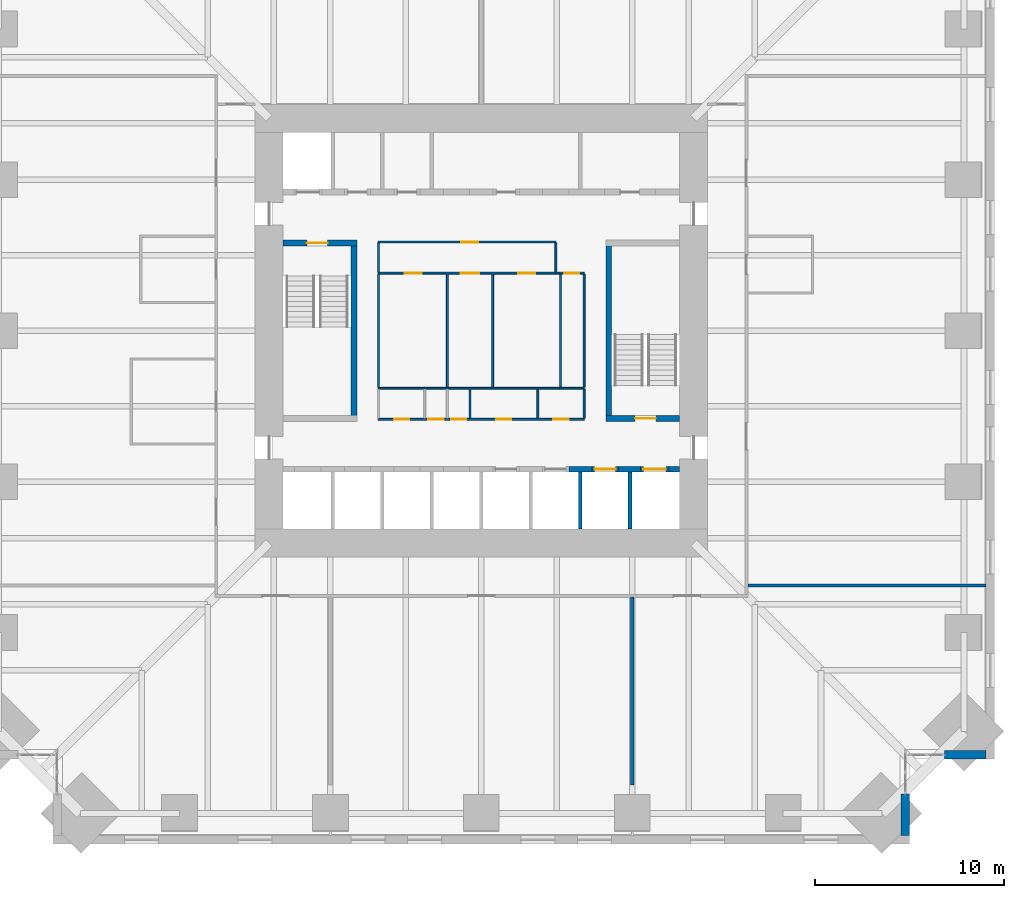
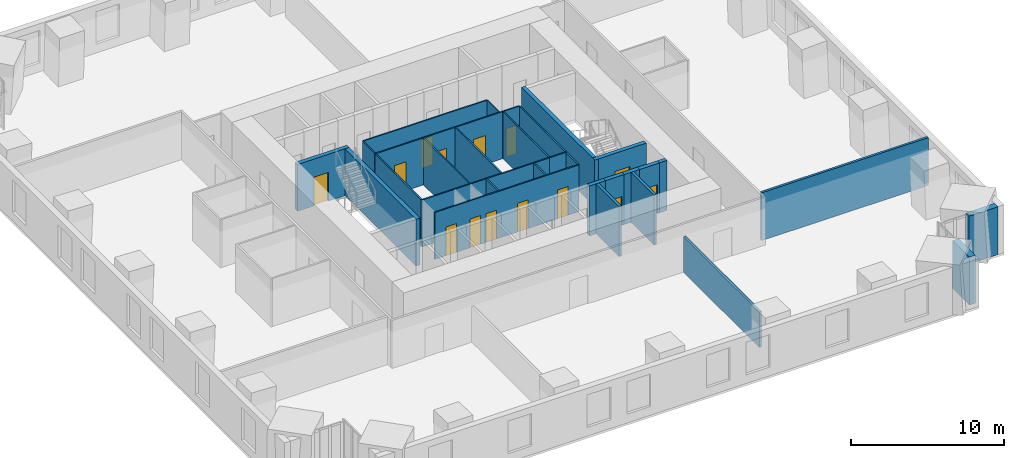
# One storey, part 13 of 16: 31 walls, 14 doors, 14 openings.
"""IFC4 building model written with IfcOpenShell, lengths in metres."""

from ifc_helpers import new_model, si_unit, direction, frame, frame_2d, origin, place, context, subcontext, project, spatial, rectangle, extrude, material, layer, layer_set, type_object, element, fill, save


model = new_model("IFC4")

# Units and contexts
model_context = context("Model", 3, precision=1e-05, world=origin(), true_north=direction((0.0, 1.0)))
body_context = subcontext(model_context, "Body", "Model", "MODEL_VIEW")
ifc_project = project(units=[si_unit("LENGTHUNIT", "METRE"), si_unit("AREAUNIT", "SQUARE_METRE"), si_unit("VOLUMEUNIT", "CUBIC_METRE"), si_unit("PLANEANGLEUNIT", "RADIAN"), si_unit("MASSUNIT", "GRAM", prefix="KILO")], contexts=[model_context])

# Site, building, storey
site_placement = place(None, origin())
site = spatial("IfcSite", under=ifc_project, at=site_placement, CompositionType="ELEMENT")
building_placement = place(site_placement, origin())
building = spatial("IfcBuilding", under=site, at=building_placement, Name="Peilmerk Tower", CompositionType="ELEMENT")
storey_placement = place(building_placement, frame((0.0, 0.0, 131.800048828125)))
storey = spatial("IfcBuildingStorey", under=building, at=storey_placement, Name="L26", CompositionType="ELEMENT", Elevation=131.800048828125)

# Walls
ifc_material_1 = material(Name="Precast concrete C45/55, board-marked finish", Category="concrete")
ifc_layer_1 = layer(ifc_material_1, 0.449951171875)
ifc_layer_set_1 = layer_set([ifc_layer_1], Name="Precast concrete C45/55, board-marked finish")
wall_type_1 = type_object("IfcWallType", Name="EW1 450 precast concrete facade wall, board-marked", PredefinedType="SOLIDWALL", material=ifc_layer_set_1)
for number, where, z_axis, x_axis, name in (
    (1, (22.47509765625, -24.5537109375, 0.0), (0.0, 0.0, 1.0), (0.0, -1.0, 0.0), "Facade wall SEA L26"),
    (2, (24.5537109375, -22.47509765625, 0.0), (0.0, 0.0, 1.0), (1.0, 0.0, 0.0), "Facade wall SEB L26"),
):
    element("IfcWall", number, at=place(storey_placement, frame(where, z_axis=z_axis, x_axis=x_axis)), inside=storey, type_object=wall_type_1, Name=name, PredefinedType="SOLIDWALL", context=body_context, shape_type="SweptSolid", body=[
        extrude(rectangle(XDim=2.1962890625, YDim=0.449951171875, at=frame_2d((1.09814453125, 0.0))), origin(), (0.0, 0.0, 1.0), 3.829833984375),
    ])
ifc_material_2 = material(Name="Concrete C35/45", Category="concrete")
ifc_layer_2 = layer(ifc_material_2, 0.300048828125)
ifc_layer_set_2 = layer_set([ifc_layer_2], Name="Concrete C35/45")
wall_type_2 = type_object("IfcWallType", Name="IW3 300 concrete stair enclosure wall, EI 120", PredefinedType="SOLIDWALL", material=ifc_layer_set_2)
wall_1_placement = place(storey_placement, frame((-6.75, -4.800048828125, 0.0), z_axis=(0.0, 0.0, 1.0), x_axis=(0.0, 1.0, 0.0)))
element("IfcWall", 3, at=wall_1_placement, inside=storey, type_object=wall_type_2, Name="Stair 1 enclosure L26", PredefinedType="SOLIDWALL", context=body_context, shape_type="SweptSolid", body=[
    extrude(rectangle(XDim=9.60009765625, YDim=0.300048828125, at=frame_2d((4.800048828125, 0.0))), origin(), (0.0, 0.0, 1.0), 3.75),
])

# Wall, opening, door
wall_2_placement = place(storey_placement, frame((-10.5, 4.64990234375, 0.0), z_axis=(0.0, 0.0, 1.0), x_axis=(1.0, 0.0, 0.0)))
wall_2 = element("IfcWall", 4, at=wall_2_placement, inside=storey, type_object=wall_type_2, Name="Stair 1 enclosure L26", PredefinedType="SOLIDWALL", context=body_context, shape_type="SweptSolid", body=[
    extrude(rectangle(XDim=3.89990234375, YDim=0.300048828125, at=frame_2d((1.949951171875, 0.0))), origin(), (0.0, 0.0, 1.0), 3.75),
])
opening_1_placement = place(wall_2_placement, frame((1.25, 0.0, 0.0)))
opening_1 = element("IfcOpeningElement", 5, at=opening_1_placement, cuts=wall_2, Name="Opening D4", PredefinedType="OPENING", context=body_context, shape_type="SweptSolid", body=[
    extrude(rectangle(XDim=1.10009765625, YDim=2.300048828125, at=frame_2d((0.550048828125, 1.14990234375))), frame((0.0, 0.159912109375, 0.0), z_axis=(0.0, -1.0, 0.0), x_axis=(1.0, 0.0, 0.0)), (0.0, 0.0, 1.0), 0.320068359375),
])
ifc_material_3 = material(Name="Steel door in steel frame", Category="steel")
door_type_1 = type_object("IfcDoorType", Name="D4 1100x2300 stair door, EI2 60", OperationType="SINGLE_SWING_RIGHT", PredefinedType="DOOR", material=ifc_material_3)
door_1_placement = place(opening_1_placement, frame((1.10009765625, 0.0, 0.0), z_axis=(0.0, 0.0, 1.0), x_axis=(-1.0, 0.0, 0.0)))
door_1 = element("IfcDoor", 6, at=door_1_placement, inside=storey, type_object=door_type_1, Name="Stair 1 door L26", OperationType="SINGLE_SWING_RIGHT", OverallHeight=2.300048828125, OverallWidth=1.10009765625, PredefinedType="DOOR", context=body_context, shape_type="SweptSolid", body=[
    extrude(rectangle(XDim=1.10009765625, YDim=2.300048828125, at=frame_2d((0.550048828125, 1.14990234375))), frame((0.0, 0.02490234375, 0.0), z_axis=(0.0, -1.0, 0.0), x_axis=(1.0, 0.0, 0.0)), (0.0, 0.0, 1.0), 0.050048828125),
])
fill(opening_1, door_1)

# Wall
wall_3_placement = place(storey_placement, frame((6.75, -4.800048828125, 0.0), z_axis=(0.0, 0.0, 1.0), x_axis=(0.0, 1.0, 0.0)))
element("IfcWall", 7, at=wall_3_placement, inside=storey, type_object=wall_type_2, Name="Stair 2 enclosure L26", PredefinedType="SOLIDWALL", context=body_context, shape_type="SweptSolid", body=[
    extrude(rectangle(XDim=9.60009765625, YDim=0.300048828125, at=frame_2d((4.800048828125, 0.0))), origin(), (0.0, 0.0, 1.0), 3.75),
])

# Wall, opening, door
wall_4_placement = place(storey_placement, frame((10.5, -4.64990234375, 0.0), z_axis=(0.0, 0.0, 1.0), x_axis=(-1.0, 0.0, 0.0)))
wall_4 = element("IfcWall", 8, at=wall_4_placement, inside=storey, type_object=wall_type_2, Name="Stair 2 enclosure L26", PredefinedType="SOLIDWALL", context=body_context, shape_type="SweptSolid", body=[
    extrude(rectangle(XDim=3.89990234375, YDim=0.300048828125, at=frame_2d((1.949951171875, 0.0))), origin(), (0.0, 0.0, 1.0), 3.75),
])
opening_2_placement = place(wall_4_placement, frame((1.25, 0.0, 0.0)))
opening_2 = element("IfcOpeningElement", 9, at=opening_2_placement, cuts=wall_4, Name="Opening D4", PredefinedType="OPENING", context=body_context, shape_type="SweptSolid", body=[
    extrude(rectangle(XDim=1.10009765625, YDim=2.300048828125, at=frame_2d((0.550048828125, 1.14990234375))), frame((0.0, 0.159912109375, 0.0), z_axis=(0.0, -1.0, 0.0), x_axis=(1.0, 0.0, 0.0)), (0.0, 0.0, 1.0), 0.320068359375),
])
door_2_placement = place(opening_2_placement, frame((1.10009765625, 0.0, 0.0), z_axis=(0.0, 0.0, 1.0), x_axis=(-1.0, 0.0, 0.0)))
door_2 = element("IfcDoor", 10, at=door_2_placement, inside=storey, type_object=door_type_1, Name="Stair 2 door L26", OperationType="SINGLE_SWING_RIGHT", OverallHeight=2.300048828125, OverallWidth=1.10009765625, PredefinedType="DOOR", context=body_context, shape_type="SweptSolid", body=[
    extrude(rectangle(XDim=1.10009765625, YDim=2.300048828125, at=frame_2d((0.550048828125, 1.14990234375))), frame((0.0, 0.02490234375, 0.0), z_axis=(0.0, -1.0, 0.0), x_axis=(1.0, 0.0, 0.0)), (0.0, 0.0, 1.0), 0.050048828125),
])
fill(opening_2, door_2)

# Wall, openings, doors
ifc_material_4 = material(Name="Plasterboard on steel studs", Category="steel")
ifc_layer_3 = layer(ifc_material_4, 0.10009765625)
ifc_layer_set_3 = layer_set([ifc_layer_3], Name="Plasterboard on steel studs")
wall_type_3 = type_object("IfcWallType", Name="IW4 100 WC partition", PredefinedType="PARTITIONING", material=ifc_layer_set_3)
wall_5_placement = place(storey_placement, frame((-5.449951171875, 3.050048828125, 0.0), z_axis=(0.0, 0.0, 1.0), x_axis=(1.0, 0.0, 0.0)))
wall_5 = element("IfcWall", 11, at=wall_5_placement, inside=storey, type_object=wall_type_3, Name="WC wall L26", PredefinedType="PARTITIONING", context=body_context, shape_type="SweptSolid", body=[
    extrude(rectangle(XDim=9.599853515625, YDim=0.10009765625, at=frame_2d((4.7998046875, 0.0))), origin(), (0.0, 0.0, 1.0), 3.75),
])
opening_3_placement = place(wall_5_placement, frame((1.39990234375, 0.0, 0.0)))
opening_3 = element("IfcOpeningElement", 12, at=opening_3_placement, cuts=wall_5, Name="Opening D5", PredefinedType="OPENING", context=body_context, shape_type="SweptSolid", body=[
    extrude(rectangle(XDim=0.89990234375, YDim=2.300048828125, at=frame_2d((0.449951171875, 1.14990234375))), frame((0.0, 0.06005859375, 0.0), z_axis=(0.0, -1.0, 0.0), x_axis=(1.0, 0.0, 0.0)), (0.0, 0.0, 1.0), 0.1201171875),
])
opening_4_placement = place(wall_5_placement, frame((4.35009765625, 0.0, 0.0)))
opening_4 = element("IfcOpeningElement", 13, at=opening_4_placement, cuts=wall_5, Name="Opening D6", PredefinedType="OPENING", context=body_context, shape_type="SweptSolid", body=[
    extrude(rectangle(XDim=1.0, YDim=2.300048828125, at=frame_2d((0.5, 1.14990234375))), frame((0.0, 0.06005859375, 0.0), z_axis=(0.0, -1.0, 0.0), x_axis=(1.0, 0.0, 0.0)), (0.0, 0.0, 1.0), 0.1201171875),
])
opening_5_placement = place(wall_5_placement, frame((7.39990234375, 0.0, 0.0)))
opening_5 = element("IfcOpeningElement", 14, at=opening_5_placement, cuts=wall_5, Name="Opening D5", PredefinedType="OPENING", context=body_context, shape_type="SweptSolid", body=[
    extrude(rectangle(XDim=0.89990234375, YDim=2.300048828125, at=frame_2d((0.449951171875, 1.14990234375))), frame((0.0, 0.06005859375, 0.0), z_axis=(0.0, -1.0, 0.0), x_axis=(1.0, 0.0, 0.0)), (0.0, 0.0, 1.0), 0.1201171875),
])
ifc_material_5 = material(Name="Timber door in steel frame", Category="steel")
door_type_2 = type_object("IfcDoorType", Name="D5 900x2300 WC door", OperationType="SINGLE_SWING_LEFT", PredefinedType="DOOR", material=ifc_material_5)
door_3_placement = place(opening_3_placement, frame((0.89990234375, 0.0, 0.0), z_axis=(0.0, 0.0, 1.0), x_axis=(-1.0, 0.0, 0.0)))
door_3 = element("IfcDoor", 15, at=door_3_placement, inside=storey, type_object=door_type_2, Name="Female toilets door L26", OperationType="SINGLE_SWING_LEFT", OverallHeight=2.300048828125, OverallWidth=0.89990234375, PredefinedType="DOOR", context=body_context, shape_type="SweptSolid", body=[
    extrude(rectangle(XDim=0.89990234375, YDim=2.300048828125, at=frame_2d((0.449951171875, 1.14990234375))), frame((0.0, 0.02490234375, 0.0), z_axis=(0.0, -1.0, 0.0), x_axis=(1.0, 0.0, 0.0)), (0.0, 0.0, 1.0), 0.050048828125),
])
fill(opening_3, door_3)
door_4_placement = place(opening_5_placement, frame((0.89990234375, 0.0, 0.0), z_axis=(0.0, 0.0, 1.0), x_axis=(-1.0, 0.0, 0.0)))
door_4 = element("IfcDoor", 16, at=door_4_placement, inside=storey, type_object=door_type_2, Name="Male toilets door L26", OperationType="SINGLE_SWING_LEFT", OverallHeight=2.300048828125, OverallWidth=0.89990234375, PredefinedType="DOOR", context=body_context, shape_type="SweptSolid", body=[
    extrude(rectangle(XDim=0.89990234375, YDim=2.300048828125, at=frame_2d((0.449951171875, 1.14990234375))), frame((0.0, 0.02490234375, 0.0), z_axis=(0.0, -1.0, 0.0), x_axis=(1.0, 0.0, 0.0)), (0.0, 0.0, 1.0), 0.050048828125),
])
fill(opening_5, door_4)
door_type_3 = type_object("IfcDoorType", Name="D6 1000x2300 accessible WC door", OperationType="SLIDING_TO_LEFT", PredefinedType="DOOR", material=ifc_material_5)
door_5_placement = place(opening_4_placement, frame((1.0, 0.0, 0.0), z_axis=(0.0, 0.0, 1.0), x_axis=(-1.0, 0.0, 0.0)))
door_5 = element("IfcDoor", 17, at=door_5_placement, inside=storey, type_object=door_type_3, Name="Accessible WC door L26", OperationType="SLIDING_TO_LEFT", OverallHeight=2.300048828125, OverallWidth=1.0, PredefinedType="DOOR", context=body_context, shape_type="SweptSolid", body=[
    extrude(rectangle(XDim=1.0, YDim=2.300048828125, at=frame_2d((0.5, 1.14990234375))), frame((0.0, 0.02490234375, 0.0), z_axis=(0.0, -1.0, 0.0), x_axis=(1.0, 0.0, 0.0)), (0.0, 0.0, 1.0), 0.050048828125),
])
fill(opening_4, door_5)

# Walls
wall_6_placement = place(storey_placement, frame((4.14990234375, -3.050048828125, 0.0), z_axis=(0.0, 0.0, 1.0), x_axis=(-1.0, 0.0, 0.0)))
element("IfcWall", 18, at=wall_6_placement, inside=storey, type_object=wall_type_3, Name="WC wall L26", PredefinedType="PARTITIONING", context=body_context, shape_type="SweptSolid", body=[
    extrude(rectangle(XDim=9.599853515625, YDim=0.10009765625, at=frame_2d((4.7998046875, 0.0))), origin(), (0.0, 0.0, 1.0), 3.75),
])
for number, where, z_axis, x_axis, name in (
    (19, (-5.449951171875, -3.0, 0.0), (0.0, 0.0, 1.0), (0.0, 1.0, 0.0), "WC wall L26"),
    (20, (-1.800048828125, -3.0, 0.0), (0.0, 0.0, 1.0), (0.0, 1.0, 0.0), "WC wall L26"),
    (21, (0.60009765625, -3.0, 0.0), (0.0, 0.0, 1.0), (0.0, 1.0, 0.0), "WC wall L26"),
):
    element("IfcWall", number, at=place(storey_placement, frame(where, z_axis=z_axis, x_axis=x_axis)), inside=storey, type_object=wall_type_3, Name=name, PredefinedType="PARTITIONING", context=body_context, shape_type="SweptSolid", body=[
        extrude(rectangle(XDim=6.0, YDim=0.10009765625, at=frame_2d((3.0, 0.0))), origin(), (0.0, 0.0, 1.0), 3.75),
    ])

# Wall, opening, door
ifc_material_6 = material(Name="Calcium silicate board on steel studs", Category="steel")
ifc_layer_4 = layer(ifc_material_6, 0.10009765625)
ifc_layer_set_4 = layer_set([ifc_layer_4], Name="Calcium silicate board on steel studs")
wall_type_4 = type_object("IfcWallType", Name="IW5 100 riser enclosure wall, EI 60", PredefinedType="PARTITIONING", material=ifc_layer_set_4)
wall_7_placement = place(storey_placement, frame((4.14990234375, 3.050048828125, 0.0), z_axis=(0.0, 0.0, 1.0), x_axis=(1.0, 0.0, 0.0)))
wall_7 = element("IfcWall", 22, at=wall_7_placement, inside=storey, type_object=wall_type_4, Name="Riser wall L26", PredefinedType="PARTITIONING", context=body_context, shape_type="SweptSolid", body=[
    extrude(rectangle(XDim=1.300048828125, YDim=0.10009765625, at=frame_2d((0.64990234375, 0.0))), origin(), (0.0, 0.0, 1.0), 3.75),
])
opening_6_placement = place(wall_7_placement, frame((0.25, 0.0, 0.0)))
opening_6 = element("IfcOpeningElement", 23, at=opening_6_placement, cuts=wall_7, Name="Opening D7", PredefinedType="OPENING", context=body_context, shape_type="SweptSolid", body=[
    extrude(rectangle(XDim=0.800048828125, YDim=2.300048828125, at=frame_2d((0.39990234375, 1.14990234375))), frame((0.0, 0.06005859375, 0.0), z_axis=(0.0, -1.0, 0.0), x_axis=(1.0, 0.0, 0.0)), (0.0, 0.0, 1.0), 0.1201171875),
])
door_type_4 = type_object("IfcDoorType", Name="D7 800x2300 riser access door, EI2 60", OperationType="SINGLE_SWING_RIGHT", PredefinedType="DOOR", material=ifc_material_3)
door_6_placement = place(opening_6_placement, frame((0.800048828125, 0.0, 0.0), z_axis=(0.0, 0.0, 1.0), x_axis=(-1.0, 0.0, 0.0)))
door_6 = element("IfcDoor", 24, at=door_6_placement, inside=storey, type_object=door_type_4, Name="Plumbing riser door L26", OperationType="SINGLE_SWING_RIGHT", OverallHeight=2.300048828125, OverallWidth=0.800048828125, PredefinedType="DOOR", context=body_context, shape_type="SweptSolid", body=[
    extrude(rectangle(XDim=0.800048828125, YDim=2.300048828125, at=frame_2d((0.39990234375, 1.14990234375))), frame((0.0, 0.02490234375, 0.0), z_axis=(0.0, -1.0, 0.0), x_axis=(1.0, 0.0, 0.0)), (0.0, 0.0, 1.0), 0.050048828125),
])
fill(opening_6, door_6)

# Walls
wall_8_placement = place(storey_placement, frame((5.449951171875, -3.050048828125, 0.0), z_axis=(0.0, 0.0, 1.0), x_axis=(-1.0, 0.0, 0.0)))
element("IfcWall", 25, at=wall_8_placement, inside=storey, type_object=wall_type_4, Name="Riser wall L26", PredefinedType="PARTITIONING", context=body_context, shape_type="SweptSolid", body=[
    extrude(rectangle(XDim=1.300048828125, YDim=0.10009765625, at=frame_2d((0.64990234375, 0.0))), origin(), (0.0, 0.0, 1.0), 3.75),
])
for number, where, z_axis, x_axis, name in (
    (26, (5.449951171875, 3.0, 0.0), (0.0, 0.0, 1.0), (0.0, -1.0, 0.0), "Riser wall L26"),
    (27, (4.199951171875, -3.0, 0.0), (0.0, 0.0, 1.0), (0.0, 1.0, 0.0), "Riser wall L26"),
):
    element("IfcWall", number, at=place(storey_placement, frame(where, z_axis=z_axis, x_axis=x_axis)), inside=storey, type_object=wall_type_4, Name=name, PredefinedType="PARTITIONING", context=body_context, shape_type="SweptSolid", body=[
        extrude(rectangle(XDim=6.0, YDim=0.10009765625, at=frame_2d((3.0, 0.0))), origin(), (0.0, 0.0, 1.0), 3.75),
    ])

# Wall, openings, doors
wall_9_placement = place(storey_placement, frame((5.449951171875, -4.699951171875, 0.0), z_axis=(0.0, 0.0, 1.0), x_axis=(-1.0, 0.0, 0.0)))
wall_9 = element("IfcWall", 28, at=wall_9_placement, inside=storey, type_object=wall_type_4, Name="Riser wall L26", PredefinedType="PARTITIONING", context=body_context, shape_type="SweptSolid", body=[
    extrude(rectangle(XDim=10.89990234375, YDim=0.10009765625, at=frame_2d((5.449951171875, 0.0))), origin(), (0.0, 0.0, 1.0), 3.75),
])
opening_7_placement = place(wall_9_placement, frame((9.27490234375, 0.0, 0.0)))
opening_7 = element("IfcOpeningElement", 29, at=opening_7_placement, cuts=wall_9, Name="Opening D7", PredefinedType="OPENING", context=body_context, shape_type="SweptSolid", body=[
    extrude(rectangle(XDim=0.800048828125, YDim=2.300048828125, at=frame_2d((0.39990234375, 1.14990234375))), frame((0.0, 0.06005859375, 0.0), z_axis=(0.0, -1.0, 0.0), x_axis=(1.0, 0.0, 0.0)), (0.0, 0.0, 1.0), 0.1201171875),
])
opening_8_placement = place(wall_9_placement, frame((7.449951171875, 0.0, 0.0)))
opening_8 = element("IfcOpeningElement", 30, at=opening_8_placement, cuts=wall_9, Name="Opening D7", PredefinedType="OPENING", context=body_context, shape_type="SweptSolid", body=[
    extrude(rectangle(XDim=0.800048828125, YDim=2.300048828125, at=frame_2d((0.39990234375, 1.14990234375))), frame((0.0, 0.06005859375, 0.0), z_axis=(0.0, -1.0, 0.0), x_axis=(1.0, 0.0, 0.0)), (0.0, 0.0, 1.0), 0.1201171875),
])
opening_9_placement = place(wall_9_placement, frame((6.25, 0.0, 0.0)))
opening_9 = element("IfcOpeningElement", 31, at=opening_9_placement, cuts=wall_9, Name="Opening D7", PredefinedType="OPENING", context=body_context, shape_type="SweptSolid", body=[
    extrude(rectangle(XDim=0.800048828125, YDim=2.300048828125, at=frame_2d((0.39990234375, 1.14990234375))), frame((0.0, 0.06005859375, 0.0), z_axis=(0.0, -1.0, 0.0), x_axis=(1.0, 0.0, 0.0)), (0.0, 0.0, 1.0), 0.1201171875),
])
opening_10_placement = place(wall_9_placement, frame((3.85009765625, 0.0, 0.0)))
opening_10 = element("IfcOpeningElement", 32, at=opening_10_placement, cuts=wall_9, Name="Opening D7", PredefinedType="OPENING", context=body_context, shape_type="SweptSolid", body=[
    extrude(rectangle(XDim=0.800048828125, YDim=2.300048828125, at=frame_2d((0.39990234375, 1.14990234375))), frame((0.0, 0.06005859375, 0.0), z_axis=(0.0, -1.0, 0.0), x_axis=(1.0, 0.0, 0.0)), (0.0, 0.0, 1.0), 0.1201171875),
])
opening_11_placement = place(wall_9_placement, frame((0.824951171875, 0.0, 0.0)))
opening_11 = element("IfcOpeningElement", 33, at=opening_11_placement, cuts=wall_9, Name="Opening D7", PredefinedType="OPENING", context=body_context, shape_type="SweptSolid", body=[
    extrude(rectangle(XDim=0.800048828125, YDim=2.300048828125, at=frame_2d((0.39990234375, 1.14990234375))), frame((0.0, 0.06005859375, 0.0), z_axis=(0.0, -1.0, 0.0), x_axis=(1.0, 0.0, 0.0)), (0.0, 0.0, 1.0), 0.1201171875),
])
door_7_placement = place(opening_7_placement, frame((0.800048828125, 0.0, 0.0), z_axis=(0.0, 0.0, 1.0), x_axis=(-1.0, 0.0, 0.0)))
door_7 = element("IfcDoor", 34, at=door_7_placement, inside=storey, type_object=door_type_4, Name="Cleaner's cupboard door L26", OperationType="SINGLE_SWING_RIGHT", OverallHeight=2.300048828125, OverallWidth=0.800048828125, PredefinedType="DOOR", context=body_context, shape_type="SweptSolid", body=[
    extrude(rectangle(XDim=0.800048828125, YDim=2.300048828125, at=frame_2d((0.39990234375, 1.14990234375))), frame((0.0, 0.02490234375, 0.0), z_axis=(0.0, -1.0, 0.0), x_axis=(1.0, 0.0, 0.0)), (0.0, 0.0, 1.0), 0.050048828125),
])
fill(opening_7, door_7)
door_8_placement = place(opening_8_placement, frame((0.800048828125, 0.0, 0.0), z_axis=(0.0, 0.0, 1.0), x_axis=(-1.0, 0.0, 0.0)))
door_8 = element("IfcDoor", 35, at=door_8_placement, inside=storey, type_object=door_type_4, Name="Electrical riser door L26", OperationType="SINGLE_SWING_RIGHT", OverallHeight=2.300048828125, OverallWidth=0.800048828125, PredefinedType="DOOR", context=body_context, shape_type="SweptSolid", body=[
    extrude(rectangle(XDim=0.800048828125, YDim=2.300048828125, at=frame_2d((0.39990234375, 1.14990234375))), frame((0.0, 0.02490234375, 0.0), z_axis=(0.0, -1.0, 0.0), x_axis=(1.0, 0.0, 0.0)), (0.0, 0.0, 1.0), 0.050048828125),
])
fill(opening_8, door_8)
door_9_placement = place(opening_9_placement, frame((0.800048828125, 0.0, 0.0), z_axis=(0.0, 0.0, 1.0), x_axis=(-1.0, 0.0, 0.0)))
door_9 = element("IfcDoor", 36, at=door_9_placement, inside=storey, type_object=door_type_4, Name="Data riser door L26", OperationType="SINGLE_SWING_RIGHT", OverallHeight=2.300048828125, OverallWidth=0.800048828125, PredefinedType="DOOR", context=body_context, shape_type="SweptSolid", body=[
    extrude(rectangle(XDim=0.800048828125, YDim=2.300048828125, at=frame_2d((0.39990234375, 1.14990234375))), frame((0.0, 0.02490234375, 0.0), z_axis=(0.0, -1.0, 0.0), x_axis=(1.0, 0.0, 0.0)), (0.0, 0.0, 1.0), 0.050048828125),
])
fill(opening_9, door_9)
door_10_placement = place(opening_10_placement, frame((0.800048828125, 0.0, 0.0), z_axis=(0.0, 0.0, 1.0), x_axis=(-1.0, 0.0, 0.0)))
door_10 = element("IfcDoor", 37, at=door_10_placement, inside=storey, type_object=door_type_4, Name="Comms room door L26", OperationType="SINGLE_SWING_RIGHT", OverallHeight=2.300048828125, OverallWidth=0.800048828125, PredefinedType="DOOR", context=body_context, shape_type="SweptSolid", body=[
    extrude(rectangle(XDim=0.800048828125, YDim=2.300048828125, at=frame_2d((0.39990234375, 1.14990234375))), frame((0.0, 0.02490234375, 0.0), z_axis=(0.0, -1.0, 0.0), x_axis=(1.0, 0.0, 0.0)), (0.0, 0.0, 1.0), 0.050048828125),
])
fill(opening_10, door_10)
door_11_placement = place(opening_11_placement, frame((0.800048828125, 0.0, 0.0), z_axis=(0.0, 0.0, 1.0), x_axis=(-1.0, 0.0, 0.0)))
door_11 = element("IfcDoor", 38, at=door_11_placement, inside=storey, type_object=door_type_4, Name="Water meter room door L26", OperationType="SINGLE_SWING_RIGHT", OverallHeight=2.300048828125, OverallWidth=0.800048828125, PredefinedType="DOOR", context=body_context, shape_type="SweptSolid", body=[
    extrude(rectangle(XDim=0.800048828125, YDim=2.300048828125, at=frame_2d((0.39990234375, 1.14990234375))), frame((0.0, 0.02490234375, 0.0), z_axis=(0.0, -1.0, 0.0), x_axis=(1.0, 0.0, 0.0)), (0.0, 0.0, 1.0), 0.050048828125),
])
fill(opening_11, door_11)

# Walls
for number, where, z_axis, x_axis, name in (
    (39, (5.449951171875, -3.10009765625, 0.0), (0.0, 0.0, 1.0), (0.0, -1.0, 0.0), "Riser wall L26"),
    (40, (-0.60009765625, -3.10009765625, 0.0), (0.0, 0.0, 1.0), (0.0, -1.0, 0.0), "Riser wall L26"),
    (41, (3.0, -3.10009765625, 0.0), (0.0, 0.0, 1.0), (0.0, -1.0, 0.0), "Riser wall L26"),
):
    element("IfcWall", number, at=place(storey_placement, frame(where, z_axis=z_axis, x_axis=x_axis)), inside=storey, type_object=wall_type_4, Name=name, PredefinedType="PARTITIONING", context=body_context, shape_type="SweptSolid", body=[
        extrude(rectangle(XDim=1.5498046875, YDim=0.10009765625, at=frame_2d((0.77490234375, 0.0))), origin(), (0.0, 0.0, 1.0), 3.75),
    ])
ifc_material_7 = material(Name="Calcium silicate block", Category="masonry")
ifc_layer_5 = layer(ifc_material_7, 0.175048828125)
ifc_layer_set_5 = layer_set([ifc_layer_5], Name="Calcium silicate block")
wall_type_5 = type_object("IfcWallType", Name="IW8 175 tenant separating wall, EI 60", PredefinedType="PARTITIONING", material=ifc_layer_set_5)
wall_10_placement = place(storey_placement, frame((26.75, -13.5, 0.0), z_axis=(0.0, 0.0, 1.0), x_axis=(-1.0, 0.0, 0.0)))
element("IfcWall", 42, at=wall_10_placement, inside=storey, type_object=wall_type_5, Name="Tenant separating wall SE L26", PredefinedType="PARTITIONING", context=body_context, shape_type="SweptSolid", body=[
    extrude(rectangle(XDim=12.625, YDim=0.175048828125, at=frame_2d((6.3125, 0.0))), origin(), (0.0, 0.0, 1.0), 3.829833984375),
])
wall_11_placement = place(storey_placement, frame((8.0, -14.125, 0.0), z_axis=(0.0, 0.0, 1.0), x_axis=(0.0, -1.0, 0.0)))
element("IfcWall", 43, at=wall_11_placement, inside=storey, type_object=wall_type_5, Name="Tenant separating wall S2 L26", PredefinedType="PARTITIONING", context=body_context, shape_type="SweptSolid", body=[
    extrude(rectangle(XDim=9.952392578125, YDim=0.175048828125, at=frame_2d((4.97607421875, 0.0))), origin(), (0.0, 0.0, 1.0), 2.829833984375),
])

# Wall, opening, door
ifc_material_8 = material(Name="Fire-resisting plasterboard on steel studs", Category="steel")
ifc_layer_6 = layer(ifc_material_8, 0.10009765625)
ifc_layer_set_6 = layer_set([ifc_layer_6], Name="Fire-resisting plasterboard on steel studs")
wall_type_6 = type_object("IfcWallType", Name="IW9 100 WC lobby wall, EI 30", PredefinedType="PARTITIONING", material=ifc_layer_set_6)
wall_12_placement = place(storey_placement, frame((-5.449951171875, 4.699951171875, 0.0), z_axis=(0.0, 0.0, 1.0), x_axis=(1.0, 0.0, 0.0)))
wall_12 = element("IfcWall", 44, at=wall_12_placement, inside=storey, type_object=wall_type_6, Name="WC lobby wall L26", PredefinedType="PARTITIONING", context=body_context, shape_type="SweptSolid", body=[
    extrude(rectangle(XDim=9.39990234375, YDim=0.10009765625, at=frame_2d((4.699951171875, 0.0))), origin(), (0.0, 0.0, 1.0), 3.75),
])
opening_12_placement = place(wall_12_placement, frame((4.39990234375, 0.0, 0.0)))
opening_12 = element("IfcOpeningElement", 45, at=opening_12_placement, cuts=wall_12, Name="Opening D11", PredefinedType="OPENING", context=body_context, shape_type="SweptSolid", body=[
    extrude(rectangle(XDim=0.89990234375, YDim=2.300048828125, at=frame_2d((0.449951171875, 1.14990234375))), frame((0.0, 0.06005859375, 0.0), z_axis=(0.0, -1.0, 0.0), x_axis=(1.0, 0.0, 0.0)), (0.0, 0.0, 1.0), 0.1201171875),
])
door_type_5 = type_object("IfcDoorType", Name="D11 900x2300 WC lobby door, EI2 30", OperationType="SINGLE_SWING_LEFT", PredefinedType="DOOR", material=ifc_material_5)
door_12_placement = place(opening_12_placement, frame((0.89990234375, 0.0, 0.0), z_axis=(0.0, 0.0, 1.0), x_axis=(-1.0, 0.0, 0.0)))
door_12 = element("IfcDoor", 46, at=door_12_placement, inside=storey, type_object=door_type_5, Name="WC lobby door L26", OperationType="SINGLE_SWING_LEFT", OverallHeight=2.300048828125, OverallWidth=0.89990234375, PredefinedType="DOOR", context=body_context, shape_type="SweptSolid", body=[
    extrude(rectangle(XDim=0.89990234375, YDim=2.300048828125, at=frame_2d((0.449951171875, 1.14990234375))), frame((0.0, 0.02490234375, 0.0), z_axis=(0.0, -1.0, 0.0), x_axis=(1.0, 0.0, 0.0)), (0.0, 0.0, 1.0), 0.050048828125),
])
fill(opening_12, door_12)

# Walls
for number, where, z_axis, x_axis, name in (
    (47, (-5.449951171875, 3.10009765625, 0.0), (0.0, 0.0, 1.0), (0.0, 1.0, 0.0), "WC lobby wall L26"),
    (48, (3.949951171875, 3.10009765625, 0.0), (0.0, 0.0, 1.0), (0.0, 1.0, 0.0), "WC lobby wall L26"),
):
    element("IfcWall", number, at=place(storey_placement, frame(where, z_axis=z_axis, x_axis=x_axis)), inside=storey, type_object=wall_type_6, Name=name, PredefinedType="PARTITIONING", context=body_context, shape_type="SweptSolid", body=[
        extrude(rectangle(XDim=1.5498046875, YDim=0.10009765625, at=frame_2d((0.77490234375, 0.0))), origin(), (0.0, 0.0, 1.0), 3.75),
    ])
ifc_layer_7 = layer(ifc_material_7, 0.199951171875)
ifc_layer_set_7 = layer_set([ifc_layer_7], Name="Calcium silicate block")
wall_type_7 = type_object("IfcWallType", Name="SH1 200 shaft dividing wall, EI 120", PredefinedType="PARTITIONING", material=ifc_layer_set_7)
for number, where, z_axis, x_axis, name in (
    (49, (5.25, -10.5, 0.0), (0.0, 0.0, 1.0), (0.0, 1.0, 0.0), "Shaft wall S B2 L26"),
    (50, (7.875, -10.5, 0.0), (0.0, 0.0, 1.0), (0.0, 1.0, 0.0), "Shaft wall S B1 L26"),
):
    element("IfcWall", number, at=place(storey_placement, frame(where, z_axis=z_axis, x_axis=x_axis)), inside=storey, type_object=wall_type_7, Name=name, PredefinedType="PARTITIONING", context=body_context, shape_type="SweptSolid", body=[
        extrude(rectangle(XDim=3.0, YDim=0.199951171875, at=frame_2d((1.5, 0.0))), origin(), (0.0, 0.0, 1.0), 4.0),
    ])

# Wall, opening, door
ifc_layer_8 = layer(ifc_material_7, 0.300048828125)
ifc_layer_set_8 = layer_set([ifc_layer_8], Name="Calcium silicate block")
wall_type_8 = type_object("IfcWallType", Name="SH2 300 lift landing door panel, EI 120", PredefinedType="PARTITIONING", material=ifc_layer_set_8)
wall_13_placement = place(storey_placement, frame((5.862548828125, -7.35009765625, 0.0), z_axis=(0.0, 0.0, 1.0), x_axis=(1.0, 0.0, 0.0)))
wall_13 = element("IfcWall", 51, at=wall_13_placement, inside=storey, type_object=wall_type_8, Name="Lift door panel S B1 L26", PredefinedType="PARTITIONING", context=body_context, shape_type="SweptSolid", body=[
    extrude(rectangle(XDim=1.39990234375, YDim=0.300048828125, at=frame_2d((0.699951171875, 0.0))), origin(), (0.0, 0.0, 1.0), 4.0),
])
opening_13_placement = place(wall_13_placement, frame((0.14990234375, 0.0, 0.0)))
opening_13 = element("IfcOpeningElement", 52, at=opening_13_placement, cuts=wall_13, Name="Opening LD1", PredefinedType="OPENING", context=body_context, shape_type="SweptSolid", body=[
    extrude(rectangle(XDim=1.10009765625, YDim=2.300048828125, at=frame_2d((0.550048828125, 1.14990234375))), frame((0.0, 0.159912109375, 0.0), z_axis=(0.0, -1.0, 0.0), x_axis=(1.0, 0.0, 0.0)), (0.0, 0.0, 1.0), 0.320068359375),
])
ifc_material_9 = material(Name="Stainless steel landing door", Category="steel")
door_type_6 = type_object("IfcDoorType", Name="LD1 1100x2300 lift landing door, sliding, EI2 60", OperationType="SLIDING_TO_LEFT", PredefinedType="DOOR", material=ifc_material_9)
door_13_placement = place(opening_13_placement, origin())
door_13 = element("IfcDoor", 53, at=door_13_placement, inside=storey, type_object=door_type_6, Name="Lift landing door B1 L26", OperationType="SLIDING_TO_LEFT", OverallHeight=2.300048828125, OverallWidth=1.10009765625, PredefinedType="DOOR", context=body_context, shape_type="SweptSolid", body=[
    extrude(rectangle(XDim=1.10009765625, YDim=2.300048828125, at=frame_2d((0.550048828125, 1.14990234375))), frame((0.0, 0.02490234375, 0.0), z_axis=(0.0, -1.0, 0.0), x_axis=(1.0, 0.0, 0.0)), (0.0, 0.0, 1.0), 0.050048828125),
])
fill(opening_13, door_13)

wall_14_placement = place(storey_placement, frame((8.4375, -7.35009765625, 0.0), z_axis=(0.0, 0.0, 1.0), x_axis=(1.0, 0.0, 0.0)))
wall_14 = element("IfcWall", 54, at=wall_14_placement, inside=storey, type_object=wall_type_8, Name="Lift door panel S FL2 L26", PredefinedType="PARTITIONING", context=body_context, shape_type="SweptSolid", body=[
    extrude(rectangle(XDim=1.5, YDim=0.300048828125, at=frame_2d((0.75, 0.0))), origin(), (0.0, 0.0, 1.0), 4.0),
])
opening_14_placement = place(wall_14_placement, frame((0.14990234375, 0.0, 0.0)))
opening_14 = element("IfcOpeningElement", 55, at=opening_14_placement, cuts=wall_14, Name="Opening LD2", PredefinedType="OPENING", context=body_context, shape_type="SweptSolid", body=[
    extrude(rectangle(XDim=1.199951171875, YDim=2.300048828125, at=frame_2d((0.60009765625, 1.14990234375))), frame((0.0, 0.159912109375, 0.0), z_axis=(0.0, -1.0, 0.0), x_axis=(1.0, 0.0, 0.0)), (0.0, 0.0, 1.0), 0.320068359375),
])
door_type_7 = type_object("IfcDoorType", Name="LD2 1200x2300 lift landing door, sliding, EI2 60", OperationType="SLIDING_TO_LEFT", PredefinedType="DOOR", material=ifc_material_9)
door_14_placement = place(opening_14_placement, origin())
door_14 = element("IfcDoor", 56, at=door_14_placement, inside=storey, type_object=door_type_7, Name="Lift landing door FL2 L26", OperationType="SLIDING_TO_LEFT", OverallHeight=2.300048828125, OverallWidth=1.199951171875, PredefinedType="DOOR", context=body_context, shape_type="SweptSolid", body=[
    extrude(rectangle(XDim=1.199951171875, YDim=2.300048828125, at=frame_2d((0.60009765625, 1.14990234375))), frame((0.0, 0.02490234375, 0.0), z_axis=(0.0, -1.0, 0.0), x_axis=(1.0, 0.0, 0.0)), (0.0, 0.0, 1.0), 0.050048828125),
])
fill(opening_14, door_14)

# Walls
ifc_material_10 = material(Name="Concrete C55/67", Category="concrete")
ifc_layer_9 = layer(ifc_material_10, 0.300048828125)
ifc_layer_set_9 = layer_set([ifc_layer_9], Name="Concrete C55/67")
wall_type_9 = type_object("IfcWallType", Name="SW2 300 lift bank pier", PredefinedType="SHEAR", material=ifc_layer_set_9)
wall_15_placement = place(storey_placement, frame((4.637451171875, -7.35009765625, 0.0), z_axis=(0.0, 0.0, 1.0), x_axis=(1.0, 0.0, 0.0)))
element("IfcWall", 57, at=wall_15_placement, inside=storey, type_object=wall_type_9, Name="Lift bank pier S L26", PredefinedType="SHEAR", context=body_context, shape_type="SweptSolid", body=[
    extrude(rectangle(XDim=1.22509765625, YDim=0.300048828125, at=frame_2d((0.612548828125, 0.0))), origin(), (0.0, 0.0, 1.0), 4.0),
])
wall_16_placement = place(storey_placement, frame((7.262451171875, -7.35009765625, 0.0), z_axis=(0.0, 0.0, 1.0), x_axis=(1.0, 0.0, 0.0)))
element("IfcWall", 58, at=wall_16_placement, inside=storey, type_object=wall_type_9, Name="Lift bank pier S L26", PredefinedType="SHEAR", context=body_context, shape_type="SweptSolid", body=[
    extrude(rectangle(XDim=1.175048828125, YDim=0.300048828125, at=frame_2d((0.58740234375, 0.0))), origin(), (0.0, 0.0, 1.0), 4.0),
])
wall_17_placement = place(storey_placement, frame((9.9375, -7.35009765625, 0.0), z_axis=(0.0, 0.0, 1.0), x_axis=(1.0, 0.0, 0.0)))
element("IfcWall", 59, at=wall_17_placement, inside=storey, type_object=wall_type_9, Name="Lift bank pier S L26", PredefinedType="SHEAR", context=body_context, shape_type="SweptSolid", body=[
    extrude(rectangle(XDim=0.5625, YDim=0.300048828125, at=frame_2d((0.28125, 0.0))), origin(), (0.0, 0.0, 1.0), 4.0),
])

save(model, "model.ifc")
